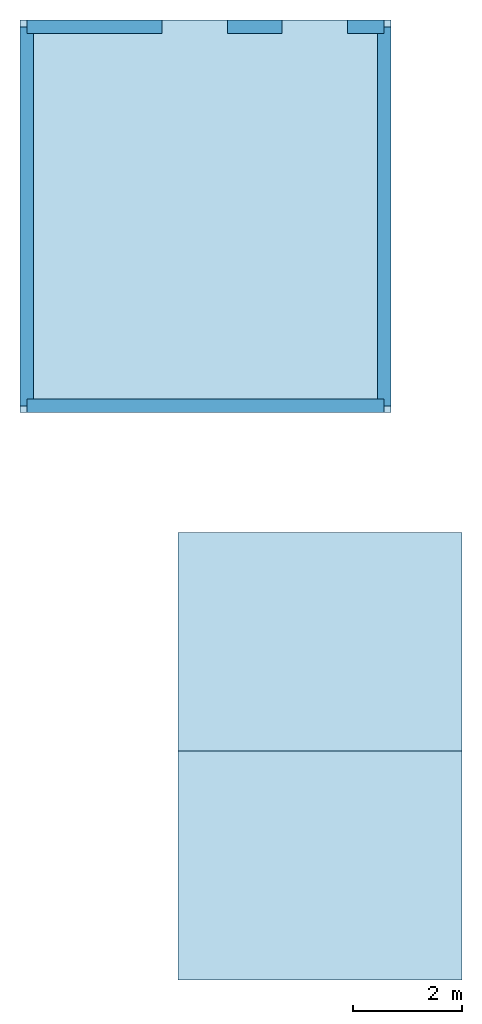
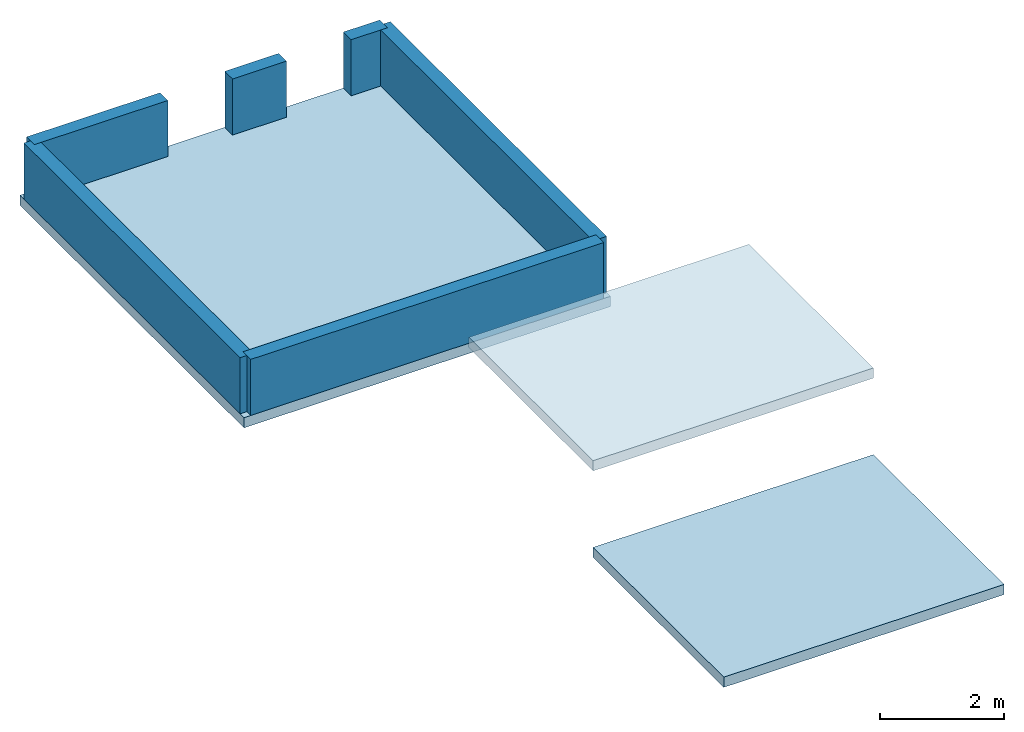
# One storey: 6 walls, 3 slabs.
"""IFC4 building model written with IfcOpenShell, lengths in metres."""

from ifc_helpers import new_model, si_unit, direction, frame, frame_2d, origin, place, context, subcontext, project, spatial, polyline, rectangle, outline, extrude, material, layer, layer_set, type_object, element, save


model = new_model("IFC4")

# Units and contexts
model_context = context("Model", 3, precision=1e-05, world=origin(), true_north=direction((0.0, 1.0)))
body_context = subcontext(model_context, "Body", "Model", "MODEL_VIEW")
ifc_project = project(units=[si_unit("LENGTHUNIT", "METRE"), si_unit("AREAUNIT", "SQUARE_METRE"), si_unit("VOLUMEUNIT", "CUBIC_METRE"), si_unit("PLANEANGLEUNIT", "RADIAN"), si_unit("MASSUNIT", "GRAM", prefix="KILO")], contexts=[model_context])

# Site, building, storey
site_placement = place(None, origin())
site = spatial("IfcSite", under=ifc_project, at=site_placement, CompositionType="ELEMENT")
building_placement = place(site_placement, origin())
building = spatial("IfcBuilding", under=site, at=building_placement, Name="Qaws Garden Tower", CompositionType="ELEMENT")
storey_placement = place(building_placement, frame((0.0, 0.0, 380.5)))
storey = spatial("IfcBuildingStorey", under=building, at=storey_placement, Name="RF-H", CompositionType="ELEMENT", Elevation=380.5)

# Slabs
ifc_material_1 = material(Name="Concrete C40", Category="concrete")
ifc_layer_1 = layer(ifc_material_1, 0.199951171875)
ifc_layer_set_1 = layer_set([ifc_layer_1], Name="Concrete C40")
slab_type_1 = type_object("IfcSlabType", Name="Lift overrun roof 200", PredefinedType="ROOF", material=ifc_layer_set_1)
slab_1_placement = place(storey_placement, frame((0.0, 0.0, 1.699951171875)))
element("IfcSlab", 1, at=slab_1_placement, inside=storey, type_object=slab_type_1, Name="Lift overrun roof", PredefinedType="ROOF", context=body_context, shape_type="SweptSolid", body=[
    extrude(outline(polyline([(15.39990234375, 23.699951171875), (20.60009765625, 23.699951171875), (20.60009765625, 27.699951171875), (15.39990234375, 27.699951171875), (15.39990234375, 23.699951171875)])), origin(), (0.0, 0.0, 1.0), 0.199951171875),
])
ifc_material_2 = material(Name="Concrete C40", Category="concrete")
ifc_layer_2 = layer(ifc_material_2, 0.199951171875)
ifc_layer_set_2 = layer_set([ifc_layer_2], Name="Concrete C40")
slab_type_2 = type_object("IfcSlabType", Name="Stair headhouse roof 200", PredefinedType="ROOF", material=ifc_layer_set_2)
slab_2_placement = place(storey_placement, frame((0.0, 0.0, -0.199951171875)))
element("IfcSlab", 2, at=slab_2_placement, inside=storey, type_object=slab_type_2, Name="Stair headhouse roof", PredefinedType="ROOF", context=body_context, shape_type="SweptSolid", body=[
    extrude(outline(polyline([(12.5, 29.89990234375), (19.300048828125, 29.89990234375), (19.300048828125, 37.10009765625), (12.5, 37.10009765625), (12.5, 29.89990234375)])), origin(), (0.0, 0.0, 1.0), 0.199951171875),
])
slab_3_placement = place(storey_placement, origin())
element("IfcSlab", 3, at=slab_3_placement, inside=storey, type_object=slab_type_2, Name="Lift lobby roof", PredefinedType="ROOF", context=body_context, shape_type="SweptSolid", body=[
    extrude(outline(polyline([(15.39990234375, 19.5), (20.60009765625, 19.5), (20.60009765625, 23.699951171875), (15.39990234375, 23.699951171875), (15.39990234375, 19.5)])), origin(), (0.0, 0.0, 1.0), 0.199951171875),
])

# Walls
ifc_material_3 = material(Name="Brick masonry", Category="masonry")
ifc_layer_3 = layer(ifc_material_3, 0.25)
ifc_layer_set_3 = layer_set([ifc_layer_3], Name="Brick masonry")
wall_type = type_object("IfcWallType", Name="Parapet 250", PredefinedType="PARAPET", material=ifc_layer_set_3)
wall_1_placement = place(storey_placement, frame((12.625, 36.97509765625, 0.0), z_axis=(0.0, 0.0, 1.0), x_axis=(1.0, 0.0, 0.0)))
element("IfcWall", 4, at=wall_1_placement, inside=storey, type_object=wall_type, Name="Headhouse roof parapet", PredefinedType="PARAPET", context=body_context, shape_type="SweptSolid", body=[
    extrude(rectangle(XDim=2.47509765625, YDim=0.25, at=frame_2d((1.237548828125, 0.0))), origin(), (0.0, 0.0, 1.0), 1.10009765625),
])
wall_2_placement = place(storey_placement, frame((16.300048828125, 36.97509765625, 0.0), z_axis=(0.0, 0.0, 1.0), x_axis=(1.0, 0.0, 0.0)))
element("IfcWall", 5, at=wall_2_placement, inside=storey, type_object=wall_type, Name="Headhouse roof parapet", PredefinedType="PARAPET", context=body_context, shape_type="SweptSolid", body=[
    extrude(rectangle(XDim=1.0, YDim=0.25, at=frame_2d((0.5, 0.0))), origin(), (0.0, 0.0, 1.0), 1.10009765625),
])
wall_3_placement = place(storey_placement, frame((18.5, 36.97509765625, 0.0), z_axis=(0.0, 0.0, 1.0), x_axis=(1.0, 0.0, 0.0)))
element("IfcWall", 6, at=wall_3_placement, inside=storey, type_object=wall_type, Name="Headhouse roof parapet", PredefinedType="PARAPET", context=body_context, shape_type="SweptSolid", body=[
    extrude(rectangle(XDim=0.675048828125, YDim=0.25, at=frame_2d((0.33740234375, 0.0))), origin(), (0.0, 0.0, 1.0), 1.10009765625),
])
wall_4_placement = place(storey_placement, frame((19.175048828125, 36.97509765625, 0.0), z_axis=(0.0, 0.0, 1.0), x_axis=(0.0, -1.0, 0.0)))
element("IfcWall", 7, at=wall_4_placement, inside=storey, type_object=wall_type, Name="Headhouse roof parapet", PredefinedType="PARAPET", context=body_context, shape_type="SweptSolid", body=[
    extrude(rectangle(XDim=6.9501953125, YDim=0.25, at=frame_2d((3.47509765625, 0.0))), origin(), (0.0, 0.0, 1.0), 1.10009765625),
])
wall_5_placement = place(storey_placement, frame((19.175048828125, 30.02490234375, 0.0), z_axis=(0.0, 0.0, 1.0), x_axis=(-1.0, 0.0, 0.0)))
element("IfcWall", 8, at=wall_5_placement, inside=storey, type_object=wall_type, Name="Headhouse roof parapet", PredefinedType="PARAPET", context=body_context, shape_type="SweptSolid", body=[
    extrude(rectangle(XDim=6.550048828125, YDim=0.25, at=frame_2d((3.27490234375, 0.0))), origin(), (0.0, 0.0, 1.0), 1.10009765625),
])
wall_6_placement = place(storey_placement, frame((12.625, 30.02490234375, 0.0), z_axis=(0.0, 0.0, 1.0), x_axis=(0.0, 1.0, 0.0)))
element("IfcWall", 9, at=wall_6_placement, inside=storey, type_object=wall_type, Name="Headhouse roof parapet", PredefinedType="PARAPET", context=body_context, shape_type="SweptSolid", body=[
    extrude(rectangle(XDim=6.9501953125, YDim=0.25, at=frame_2d((3.47509765625, 0.0))), origin(), (0.0, 0.0, 1.0), 1.10009765625),
])

save(model, "model.ifc")
